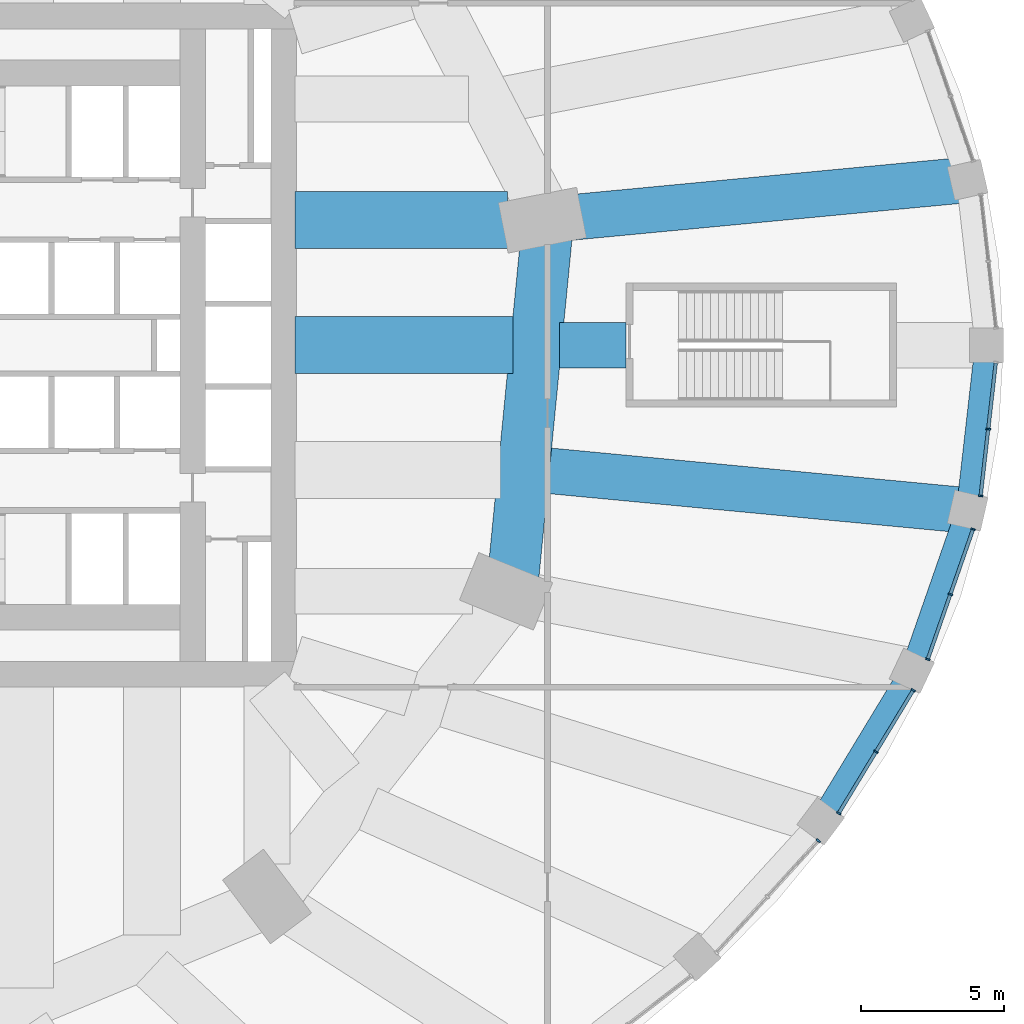
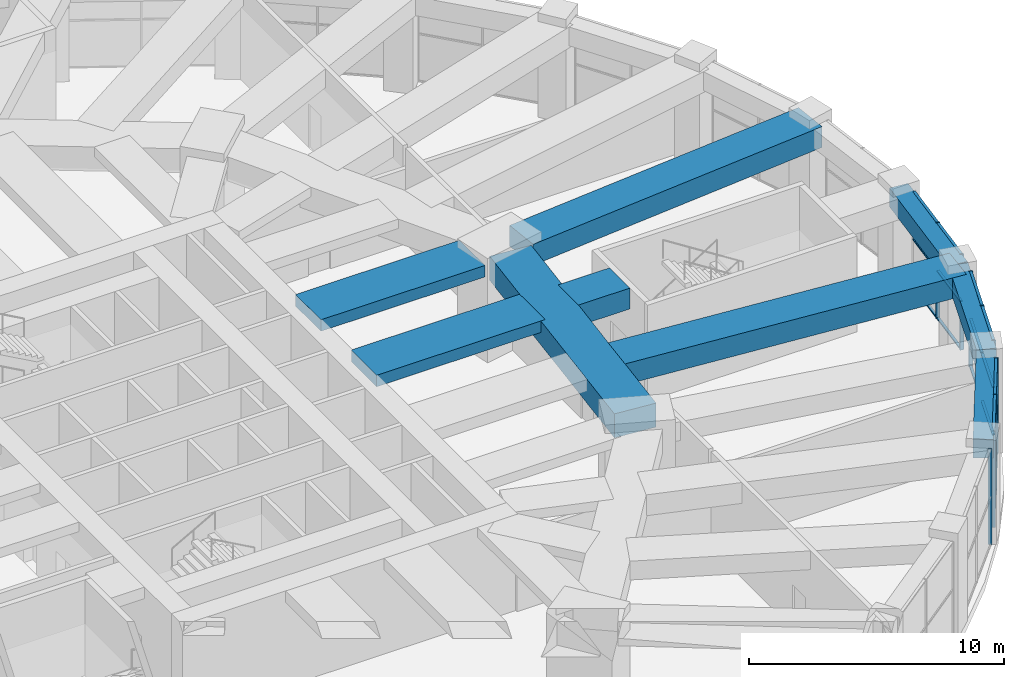
# One storey, part 13 of 32: 27 members, 9 beams, 4 elements without a shape of their own.
"""IFC4 building model written with IfcOpenShell, lengths in metres."""

from ifc_helpers import new_model, si_unit, direction, frame, origin, origin_2d, place, context, subcontext, project, spatial, rectangle, extrude, material, material_profile, profile_set, type_object, element, aggregate, save


model = new_model("IFC4")

# Units and contexts
model_context = context("Model", 3, precision=1e-05, world=origin(), true_north=direction((0.0, 1.0)))
body_context = subcontext(model_context, "Body", "Model", "MODEL_VIEW")
ifc_project = project(units=[si_unit("LENGTHUNIT", "METRE"), si_unit("AREAUNIT", "SQUARE_METRE"), si_unit("VOLUMEUNIT", "CUBIC_METRE"), si_unit("PLANEANGLEUNIT", "RADIAN"), si_unit("MASSUNIT", "GRAM", prefix="KILO")], contexts=[model_context])

# Site, building, storey
site_placement = place(None, origin())
site = spatial("IfcSite", under=ifc_project, at=site_placement, CompositionType="ELEMENT")
building_placement = place(site_placement, origin())
building = spatial("IfcBuilding", under=site, at=building_placement, Name="Taillehof Tower", CompositionType="ELEMENT")
storey_placement = place(building_placement, frame((0.0, 0.0, 7.5)))
storey = spatial("IfcBuildingStorey", under=building, at=storey_placement, Name="L01", CompositionType="ELEMENT", Elevation=7.5)

# Beams
ifc_material_1 = material(Name="Concrete C50/60", Category="concrete")
ifc_material_profile_1 = material_profile(ifc_material_1, rectangle(XDim=0.800048828125, YDim=0.89990234375, at=origin_2d()), Name="RC 800x900")
ifc_profile_set_1 = profile_set([ifc_material_profile_1], Name="Concrete C50/60")
beam_type_1 = type_object("IfcBeamType", Name="Podium edge beam C50/60 800x900", PredefinedType="BEAM", material=ifc_profile_set_1)
beam_1_placement = place(storey_placement, frame((37.58544921875, -16.699951171875, 4.139892578125), z_axis=(0.518238569123, 0.855236099258, 0.0), x_axis=(-0.855236099258, 0.518238569123, 0.0)))
element("IfcBeam", 1, at=beam_1_placement, inside=storey, type_object=beam_type_1, Name="Podium edge beam PB34", PredefinedType="BEAM", context=body_context, shape_type="SweptSolid", body=[
    extrude(rectangle(XDim=0.800048828125, YDim=0.89990234375, at=origin_2d()), origin(), (0.0, 0.0, 1.0), 6.16943359375),
])
beam_2_placement = place(storey_placement, frame((40.78271484375, -11.423583984375, 4.139892578125), z_axis=(0.328806837859, 0.94439719577, 0.0), x_axis=(-0.94439719577, 0.328806837859, 0.0)))
element("IfcBeam", 2, at=beam_2_placement, inside=storey, type_object=beam_type_1, Name="Podium edge beam PB35", PredefinedType="BEAM", context=body_context, shape_type="SweptSolid", body=[
    extrude(rectangle(XDim=0.800048828125, YDim=0.89990234375, at=origin_2d()), origin(), (0.0, 0.0, 1.0), 5.954833984375),
])
beam_3_placement = place(storey_placement, frame((42.74072265625, -5.7998046875, 4.139892578125), z_axis=(0.112928457179, 0.993603121754, 0.0), x_axis=(-0.993603121754, 0.112928457179, 0.0)))
element("IfcBeam", 3, at=beam_3_placement, inside=storey, type_object=beam_type_1, Name="Podium edge beam PB36", PredefinedType="BEAM", context=body_context, shape_type="SweptSolid", body=[
    extrude(rectangle(XDim=0.800048828125, YDim=0.89990234375, at=origin_2d()), origin(), (0.0, 0.0, 1.0), 5.837158203125),
])
ifc_material_2 = material(Name="Concrete C50/60", Category="concrete")
ifc_material_profile_2 = material_profile(ifc_material_2, rectangle(XDim=1.60009765625, YDim=1.0, at=origin_2d()), Name="RC 1600x1000")
ifc_profile_set_2 = profile_set([ifc_material_profile_2], Name="Concrete C50/60")
beam_type_2 = type_object("IfcBeamType", Name="Podium radial beam C50/60 1600x1000", PredefinedType="BEAM", material=ifc_profile_set_2)
beam_4_placement = place(storey_placement, frame((30.75, 0.0, 4.090087890625), z_axis=(-1.0, 0.0, 0.0), x_axis=(0.0, -1.0, 0.0)))
element("IfcBeam", 4, at=beam_4_placement, inside=storey, type_object=beam_type_2, Name="Podium radial beam PR01", PredefinedType="BEAM", context=body_context, shape_type="SweptSolid", body=[
    extrude(rectangle(XDim=1.60009765625, YDim=1.0, at=origin_2d()), origin(), (0.0, 0.0, 1.0), 2.337158203125),
])
beam_5_placement = place(storey_placement, frame((42.74072265625, 5.7998046875, 4.090087890625), z_axis=(-0.995530936101, -0.094435985011, 0.0), x_axis=(0.094435985011, -0.995530936101, 0.0)))
element("IfcBeam", 5, at=beam_5_placement, inside=storey, type_object=beam_type_2, Name="Podium radial beam PR02", PredefinedType="BEAM", context=body_context, shape_type="SweptSolid", body=[
    extrude(rectangle(XDim=1.60009765625, YDim=1.0, at=origin_2d()), origin(), (0.0, 0.0, 1.0), 13.9267578125),
])
beam_6_placement = place(storey_placement, frame((42.74072265625, -5.7998046875, 4.090087890625), z_axis=(-0.995531708265, 0.094427844618, 0.0), x_axis=(-0.094427844618, -0.995531708265, 0.0)))
element("IfcBeam", 6, at=beam_6_placement, inside=storey, type_object=beam_type_2, Name="Podium radial beam PR36", PredefinedType="BEAM", context=body_context, shape_type="SweptSolid", body=[
    extrude(rectangle(XDim=1.60009765625, YDim=1.0, at=origin_2d()), origin(), (0.0, 0.0, 1.0), 14.74755859375),
])

# Curtain wall, member
ifc_material_3 = material(Name="Aluminium curtain wall with Clear low-emissivity double glazing", Category="aluminium")
curtain_wall_type = type_object("IfcCurtainWallType", Name="Podium window wall curtain wall", PredefinedType="USERDEFINED", material=ifc_material_3)
curtain_wall_1_placement = place(storey_placement, origin())
curtain_wall_1 = element("IfcCurtainWall", 7, at=curtain_wall_1_placement, inside=storey, type_object=curtain_wall_type, Name="Podium window wall L01 bay 33", ObjectType="WINDOW WALL", PredefinedType="USERDEFINED")
ifc_material_4 = material(Name="Aluminium mullion", Category="aluminium")
ifc_material_profile_3 = material_profile(ifc_material_4, rectangle(XDim=0.159912109375, YDim=0.06005859375, at=origin_2d()), Name="AL 60x160")
ifc_profile_set_3 = profile_set([ifc_material_profile_3], Name="Aluminium mullion")
member_type_1 = type_object("IfcMemberType", Name="Podium window wall mullion 60x160", PredefinedType="MULLION", material=ifc_profile_set_3)
member_1_placement = place(storey_placement, frame((37.49951171875, -17.384765625, 0.0), z_axis=(0.0, 0.0, 1.0), x_axis=(-0.739707112587, 0.672928961769, 0.0)))
member_1 = element("IfcMember", 8, at=member_1_placement, type_object=member_type_1, Name="CT233 mullion 3", PredefinedType="MULLION", context=body_context, shape_type="SweptSolid", body=[
    extrude(rectangle(XDim=0.159912109375, YDim=0.06005859375, at=origin_2d()), origin(), (0.0, 0.0, 1.0), 4.590087890625),
])
aggregate(curtain_wall_1, [member_1])

# Curtain wall, members
curtain_wall_2_placement = place(storey_placement, origin())
curtain_wall_2 = element("IfcCurtainWall", 9, at=curtain_wall_2_placement, inside=storey, type_object=curtain_wall_type, Name="Podium window wall L01 bay 34", ObjectType="WINDOW WALL", PredefinedType="USERDEFINED")
member_2_placement = place(storey_placement, frame((38.217529296875, -16.42333984375, 0.0), z_axis=(0.0, 0.0, 1.0), x_axis=(-0.855288863309, 0.518151483931, 0.0)))
member_2 = element("IfcMember", 10, at=member_2_placement, type_object=member_type_1, Name="CT234 mullion 1", PredefinedType="MULLION", context=body_context, shape_type="SweptSolid", body=[
    extrude(rectangle(XDim=0.159912109375, YDim=0.06005859375, at=origin_2d()), origin(), (0.0, 0.0, 1.0), 4.590087890625),
])
member_3_placement = place(storey_placement, frame((39.524169921875, -14.266357421875, 0.0), z_axis=(0.0, 0.0, 1.0), x_axis=(-0.855288863309, 0.518151483931, 0.0)))
member_3 = element("IfcMember", 11, at=member_3_placement, type_object=member_type_1, Name="CT234 mullion 2", PredefinedType="MULLION", context=body_context, shape_type="SweptSolid", body=[
    extrude(rectangle(XDim=0.159912109375, YDim=0.06005859375, at=origin_2d()), origin(), (0.0, 0.0, 1.0), 4.590087890625),
])
member_4_placement = place(storey_placement, frame((40.8310546875, -12.109375, 0.0), z_axis=(0.0, 0.0, 1.0), x_axis=(-0.855288863309, 0.518151483931, 0.0)))
member_4 = element("IfcMember", 12, at=member_4_placement, type_object=member_type_1, Name="CT234 mullion 3", PredefinedType="MULLION", context=body_context, shape_type="SweptSolid", body=[
    extrude(rectangle(XDim=0.159912109375, YDim=0.06005859375, at=origin_2d()), origin(), (0.0, 0.0, 1.0), 4.590087890625),
])

curtain_wall_3_placement = place(storey_placement, origin())
curtain_wall_3 = element("IfcCurtainWall", 13, at=curtain_wall_3_placement, inside=storey, type_object=curtain_wall_type, Name="Podium window wall L01 bay 35", ObjectType="WINDOW WALL", PredefinedType="USERDEFINED")
member_5_placement = place(storey_placement, frame((41.341796875, -11.023681640625, 0.0), z_axis=(0.0, 0.0, 1.0), x_axis=(-0.944414333464, 0.328757610934, 0.0)))
member_5 = element("IfcMember", 14, at=member_5_placement, type_object=member_type_1, Name="CT235 mullion 1", PredefinedType="MULLION", context=body_context, shape_type="SweptSolid", body=[
    extrude(rectangle(XDim=0.159912109375, YDim=0.06005859375, at=origin_2d()), origin(), (0.0, 0.0, 1.0), 4.590087890625),
])
member_6_placement = place(storey_placement, frame((42.136474609375, -8.7412109375, 0.0), z_axis=(0.0, 0.0, 1.0), x_axis=(-0.944414333464, 0.328757610934, 0.0)))
member_6 = element("IfcMember", 15, at=member_6_placement, type_object=member_type_1, Name="CT235 mullion 2", PredefinedType="MULLION", context=body_context, shape_type="SweptSolid", body=[
    extrude(rectangle(XDim=0.159912109375, YDim=0.06005859375, at=origin_2d()), origin(), (0.0, 0.0, 1.0), 4.590087890625),
])
member_7_placement = place(storey_placement, frame((42.930908203125, -6.458740234375, 0.0), z_axis=(0.0, 0.0, 1.0), x_axis=(-0.944414333464, 0.328757610934, 0.0)))
member_7 = element("IfcMember", 16, at=member_7_placement, type_object=member_type_1, Name="CT235 mullion 3", PredefinedType="MULLION", context=body_context, shape_type="SweptSolid", body=[
    extrude(rectangle(XDim=0.159912109375, YDim=0.06005859375, at=origin_2d()), origin(), (0.0, 0.0, 1.0), 4.590087890625),
])

curtain_wall_4_placement = place(storey_placement, origin())
curtain_wall_4 = element("IfcCurtainWall", 17, at=curtain_wall_4_placement, inside=storey, type_object=curtain_wall_type, Name="Podium window wall L01 bay 36", ObjectType="WINDOW WALL", PredefinedType="USERDEFINED")
member_8_placement = place(storey_placement, frame((43.197509765625, -5.28857421875, 0.0), z_axis=(0.0, 0.0, 1.0), x_axis=(-0.993602669771, 0.112932433888, 0.0)))
member_8 = element("IfcMember", 18, at=member_8_placement, type_object=member_type_1, Name="CT236 mullion 1", PredefinedType="MULLION", context=body_context, shape_type="SweptSolid", body=[
    extrude(rectangle(XDim=0.159912109375, YDim=0.06005859375, at=origin_2d()), origin(), (0.0, 0.0, 1.0), 4.590087890625),
])
member_9_placement = place(storey_placement, frame((43.464111328125, -2.9443359375, 0.0), z_axis=(0.0, 0.0, 1.0), x_axis=(-0.993602669771, 0.112932433888, 0.0)))
member_9 = element("IfcMember", 19, at=member_9_placement, type_object=member_type_1, Name="CT236 mullion 2", PredefinedType="MULLION", context=body_context, shape_type="SweptSolid", body=[
    extrude(rectangle(XDim=0.159912109375, YDim=0.06005859375, at=origin_2d()), origin(), (0.0, 0.0, 1.0), 4.590087890625),
])

# Member
ifc_material_5 = material(Name="Aluminium transom", Category="aluminium")
ifc_material_profile_4 = material_profile(ifc_material_5, rectangle(XDim=0.1201171875, YDim=0.06005859375, at=origin_2d()), Name="AL 120x60")
ifc_profile_set_4 = profile_set([ifc_material_profile_4], Name="Aluminium transom")
member_type_2 = type_object("IfcMemberType", Name="Podium window wall transom 120x60", PredefinedType="USERDEFINED", material=ifc_profile_set_4)
member_10_placement = place(storey_placement, frame((38.233154296875, -16.397705078125, 0.030029296875), z_axis=(0.518136875535, 0.855297713203, 0.0), x_axis=(-0.855297713203, 0.518136875535, 0.0)))
member_10 = element("IfcMember", 20, at=member_10_placement, type_object=member_type_2, Name="CT234 transom 1.1", ObjectType="TRANSOM", PredefinedType="USERDEFINED", context=body_context, shape_type="SweptSolid", body=[
    extrude(rectangle(XDim=0.1201171875, YDim=0.06005859375, at=origin_2d()), origin(), (0.0, 0.0, 1.0), 2.4619140625),
])

member_11_placement = place(storey_placement, frame((38.233154296875, -16.397705078125, 2.294921875), z_axis=(0.518136875535, 0.855297713203, 0.0), x_axis=(-0.855297713203, 0.518136875535, 0.0)))
member_11 = element("IfcMember", 21, at=member_11_placement, type_object=member_type_2, Name="CT234 transom 1.2", ObjectType="TRANSOM", PredefinedType="USERDEFINED", context=body_context, shape_type="SweptSolid", body=[
    extrude(rectangle(XDim=0.1201171875, YDim=0.06005859375, at=origin_2d()), origin(), (0.0, 0.0, 1.0), 2.4619140625),
])

member_12_placement = place(storey_placement, frame((38.233154296875, -16.397705078125, 4.56005859375), z_axis=(0.518136875535, 0.855297713203, 0.0), x_axis=(-0.855297713203, 0.518136875535, 0.0)))
member_12 = element("IfcMember", 22, at=member_12_placement, type_object=member_type_2, Name="CT234 transom 1.3", ObjectType="TRANSOM", PredefinedType="USERDEFINED", context=body_context, shape_type="SweptSolid", body=[
    extrude(rectangle(XDim=0.1201171875, YDim=0.06005859375, at=origin_2d()), origin(), (0.0, 0.0, 1.0), 2.4619140625),
])

member_13_placement = place(storey_placement, frame((39.539794921875, -14.24072265625, 0.030029296875), z_axis=(0.518136875535, 0.855297713203, 0.0), x_axis=(-0.855297713203, 0.518136875535, 0.0)))
member_13 = element("IfcMember", 23, at=member_13_placement, type_object=member_type_2, Name="CT234 transom 2.1", ObjectType="TRANSOM", PredefinedType="USERDEFINED", context=body_context, shape_type="SweptSolid", body=[
    extrude(rectangle(XDim=0.1201171875, YDim=0.06005859375, at=origin_2d()), origin(), (0.0, 0.0, 1.0), 2.4619140625),
])

member_14_placement = place(storey_placement, frame((39.539794921875, -14.24072265625, 2.294921875), z_axis=(0.518136875535, 0.855297713203, 0.0), x_axis=(-0.855297713203, 0.518136875535, 0.0)))
member_14 = element("IfcMember", 24, at=member_14_placement, type_object=member_type_2, Name="CT234 transom 2.2", ObjectType="TRANSOM", PredefinedType="USERDEFINED", context=body_context, shape_type="SweptSolid", body=[
    extrude(rectangle(XDim=0.1201171875, YDim=0.06005859375, at=origin_2d()), origin(), (0.0, 0.0, 1.0), 2.4619140625),
])

member_15_placement = place(storey_placement, frame((39.539794921875, -14.24072265625, 4.56005859375), z_axis=(0.518136875535, 0.855297713203, 0.0), x_axis=(-0.855297713203, 0.518136875535, 0.0)))
member_15 = element("IfcMember", 25, at=member_15_placement, type_object=member_type_2, Name="CT234 transom 2.3", ObjectType="TRANSOM", PredefinedType="USERDEFINED", context=body_context, shape_type="SweptSolid", body=[
    extrude(rectangle(XDim=0.1201171875, YDim=0.06005859375, at=origin_2d()), origin(), (0.0, 0.0, 1.0), 2.4619140625),
])

aggregate(curtain_wall_2, [member_2, member_3, member_4, member_10, member_11, member_12, member_13, member_14, member_15])

member_16_placement = place(storey_placement, frame((41.351806640625, -10.995361328125, 0.030029296875), z_axis=(0.328693387122, 0.9444366878, 0.0), x_axis=(-0.9444366878, 0.328693387122, 0.0)))
member_16 = element("IfcMember", 26, at=member_16_placement, type_object=member_type_2, Name="CT235 transom 1.1", ObjectType="TRANSOM", PredefinedType="USERDEFINED", context=body_context, shape_type="SweptSolid", body=[
    extrude(rectangle(XDim=0.1201171875, YDim=0.06005859375, at=origin_2d()), origin(), (0.0, 0.0, 1.0), 2.356689453125),
])

member_17_placement = place(storey_placement, frame((41.351806640625, -10.995361328125, 2.294921875), z_axis=(0.328693387122, 0.9444366878, 0.0), x_axis=(-0.9444366878, 0.328693387122, 0.0)))
member_17 = element("IfcMember", 27, at=member_17_placement, type_object=member_type_2, Name="CT235 transom 1.2", ObjectType="TRANSOM", PredefinedType="USERDEFINED", context=body_context, shape_type="SweptSolid", body=[
    extrude(rectangle(XDim=0.1201171875, YDim=0.06005859375, at=origin_2d()), origin(), (0.0, 0.0, 1.0), 2.356689453125),
])

member_18_placement = place(storey_placement, frame((41.351806640625, -10.995361328125, 4.56005859375), z_axis=(0.328693387122, 0.9444366878, 0.0), x_axis=(-0.9444366878, 0.328693387122, 0.0)))
member_18 = element("IfcMember", 28, at=member_18_placement, type_object=member_type_2, Name="CT235 transom 1.3", ObjectType="TRANSOM", PredefinedType="USERDEFINED", context=body_context, shape_type="SweptSolid", body=[
    extrude(rectangle(XDim=0.1201171875, YDim=0.06005859375, at=origin_2d()), origin(), (0.0, 0.0, 1.0), 2.356689453125),
])

member_19_placement = place(storey_placement, frame((42.146240234375, -8.712890625, 0.030029296875), z_axis=(0.328785781258, 0.944404526695, 0.0), x_axis=(-0.944404526695, 0.328785781258, 0.0)))
member_19 = element("IfcMember", 29, at=member_19_placement, type_object=member_type_2, Name="CT235 transom 2.1", ObjectType="TRANSOM", PredefinedType="USERDEFINED", context=body_context, shape_type="SweptSolid", body=[
    extrude(rectangle(XDim=0.1201171875, YDim=0.06005859375, at=origin_2d()), origin(), (0.0, 0.0, 1.0), 2.35693359375),
])

member_20_placement = place(storey_placement, frame((42.146240234375, -8.712890625, 2.294921875), z_axis=(0.328785781258, 0.944404526695, 0.0), x_axis=(-0.944404526695, 0.328785781258, 0.0)))
member_20 = element("IfcMember", 30, at=member_20_placement, type_object=member_type_2, Name="CT235 transom 2.2", ObjectType="TRANSOM", PredefinedType="USERDEFINED", context=body_context, shape_type="SweptSolid", body=[
    extrude(rectangle(XDim=0.1201171875, YDim=0.06005859375, at=origin_2d()), origin(), (0.0, 0.0, 1.0), 2.35693359375),
])

member_21_placement = place(storey_placement, frame((42.146240234375, -8.712890625, 4.56005859375), z_axis=(0.328785781258, 0.944404526695, 0.0), x_axis=(-0.944404526695, 0.328785781258, 0.0)))
member_21 = element("IfcMember", 31, at=member_21_placement, type_object=member_type_2, Name="CT235 transom 2.3", ObjectType="TRANSOM", PredefinedType="USERDEFINED", context=body_context, shape_type="SweptSolid", body=[
    extrude(rectangle(XDim=0.1201171875, YDim=0.06005859375, at=origin_2d()), origin(), (0.0, 0.0, 1.0), 2.35693359375),
])

aggregate(curtain_wall_3, [member_5, member_6, member_7, member_16, member_17, member_18, member_19, member_20, member_21])

member_22_placement = place(storey_placement, frame((43.200927734375, -5.2587890625, 0.030029296875), z_axis=(0.112971628537, 0.993598214142, 0.0), x_axis=(-0.993598214142, 0.112971628537, 0.0)))
member_22 = element("IfcMember", 32, at=member_22_placement, type_object=member_type_2, Name="CT236 transom 1.1", ObjectType="TRANSOM", PredefinedType="USERDEFINED", context=body_context, shape_type="SweptSolid", body=[
    extrude(rectangle(XDim=0.1201171875, YDim=0.06005859375, at=origin_2d()), origin(), (0.0, 0.0, 1.0), 2.29931640625),
])

member_23_placement = place(storey_placement, frame((43.200927734375, -5.2587890625, 2.294921875), z_axis=(0.112971628537, 0.993598214142, 0.0), x_axis=(-0.993598214142, 0.112971628537, 0.0)))
member_23 = element("IfcMember", 33, at=member_23_placement, type_object=member_type_2, Name="CT236 transom 1.2", ObjectType="TRANSOM", PredefinedType="USERDEFINED", context=body_context, shape_type="SweptSolid", body=[
    extrude(rectangle(XDim=0.1201171875, YDim=0.06005859375, at=origin_2d()), origin(), (0.0, 0.0, 1.0), 2.29931640625),
])

member_24_placement = place(storey_placement, frame((43.200927734375, -5.2587890625, 4.56005859375), z_axis=(0.112971628537, 0.993598214142, 0.0), x_axis=(-0.993598214142, 0.112971628537, 0.0)))
member_24 = element("IfcMember", 34, at=member_24_placement, type_object=member_type_2, Name="CT236 transom 1.3", ObjectType="TRANSOM", PredefinedType="USERDEFINED", context=body_context, shape_type="SweptSolid", body=[
    extrude(rectangle(XDim=0.1201171875, YDim=0.06005859375, at=origin_2d()), origin(), (0.0, 0.0, 1.0), 2.29931640625),
])

member_25_placement = place(storey_placement, frame((43.467529296875, -2.91455078125, 0.030029296875), z_axis=(0.112866805394, 0.993610126881, 0.0), x_axis=(-0.993610126881, 0.112866805394, 0.0)))
member_25 = element("IfcMember", 35, at=member_25_placement, type_object=member_type_2, Name="CT236 transom 2.1", ObjectType="TRANSOM", PredefinedType="USERDEFINED", context=body_context, shape_type="SweptSolid", body=[
    extrude(rectangle(XDim=0.1201171875, YDim=0.06005859375, at=origin_2d()), origin(), (0.0, 0.0, 1.0), 2.29931640625),
])

member_26_placement = place(storey_placement, frame((43.467529296875, -2.91455078125, 2.294921875), z_axis=(0.112866805394, 0.993610126881, 0.0), x_axis=(-0.993610126881, 0.112866805394, 0.0)))
member_26 = element("IfcMember", 36, at=member_26_placement, type_object=member_type_2, Name="CT236 transom 2.2", ObjectType="TRANSOM", PredefinedType="USERDEFINED", context=body_context, shape_type="SweptSolid", body=[
    extrude(rectangle(XDim=0.1201171875, YDim=0.06005859375, at=origin_2d()), origin(), (0.0, 0.0, 1.0), 2.29931640625),
])

member_27_placement = place(storey_placement, frame((43.467529296875, -2.91455078125, 4.56005859375), z_axis=(0.112866805394, 0.993610126881, 0.0), x_axis=(-0.993610126881, 0.112866805394, 0.0)))
member_27 = element("IfcMember", 37, at=member_27_placement, type_object=member_type_2, Name="CT236 transom 2.3", ObjectType="TRANSOM", PredefinedType="USERDEFINED", context=body_context, shape_type="SweptSolid", body=[
    extrude(rectangle(XDim=0.1201171875, YDim=0.06005859375, at=origin_2d()), origin(), (0.0, 0.0, 1.0), 2.29931640625),
])

aggregate(curtain_wall_4, [member_8, member_9, member_22, member_23, member_24, member_25, member_26, member_27])

# Beams
ifc_material_6 = material(Name="Concrete C50/60", Category="concrete")
ifc_material_profile_5 = material_profile(ifc_material_6, rectangle(XDim=2.0, YDim=0.550048828125, at=origin_2d()), Name="RC 2000x550")
ifc_profile_set_5 = profile_set([ifc_material_profile_5], Name="Concrete C50/60")
beam_type_3 = type_object("IfcBeamType", Name="Radial band beam C50/60 2000x550", PredefinedType="BEAM", material=ifc_profile_set_5)
beam_7_placement = place(storey_placement, frame((26.787841796875, 0.0, 4.31494140625), z_axis=(-1.0, 0.0, 0.0), x_axis=(0.0, -1.0, 0.0)))
element("IfcBeam", 38, at=beam_7_placement, inside=storey, type_object=beam_type_3, Name="Radial band beam RB01", PredefinedType="BEAM", context=body_context, shape_type="SweptSolid", body=[
    extrude(rectangle(XDim=2.0, YDim=0.550048828125, at=origin_2d()), origin(), (0.0, 0.0, 1.0), 7.637939453125),
])
beam_8_placement = place(storey_placement, frame((26.592529296875, 4.384521484375, 4.31494140625), z_axis=(-1.0, 0.0, 0.0), x_axis=(0.0, -1.0, 0.0)))
element("IfcBeam", 39, at=beam_8_placement, inside=storey, type_object=beam_type_3, Name="Radial band beam RB02", PredefinedType="BEAM", context=body_context, shape_type="SweptSolid", body=[
    extrude(rectangle(XDim=2.0, YDim=0.550048828125, at=origin_2d()), origin(), (0.0, 0.0, 1.0), 7.442626953125),
])
ifc_material_7 = material(Name="Concrete C50/60", Category="concrete")
ifc_material_profile_6 = material_profile(ifc_material_7, rectangle(XDim=1.800048828125, YDim=1.14990234375, at=origin_2d()), Name="RC 1800x1150")
ifc_profile_set_6 = profile_set([ifc_material_profile_6], Name="Concrete C50/60")
beam_type_4 = type_object("IfcBeamType", Name="Ring floor beam C50/60 1800x1150", PredefinedType="BEAM", material=ifc_profile_set_6)
beam_9_placement = place(storey_placement, frame((26.804931640625, -8.048095703125, 4.014892578125), z_axis=(0.097401633185, 0.995245156659, 0.0), x_axis=(-0.995245156659, 0.097401633185, 0.0)))
element("IfcBeam", 40, at=beam_9_placement, inside=storey, type_object=beam_type_4, Name="Ring floor beam RG12", PredefinedType="BEAM", context=body_context, shape_type="SweptSolid", body=[
    extrude(rectangle(XDim=1.800048828125, YDim=1.14990234375, at=origin_2d()), origin(), (0.0, 0.0, 1.0), 11.868408203125),
])

save(model, "model.ifc")
